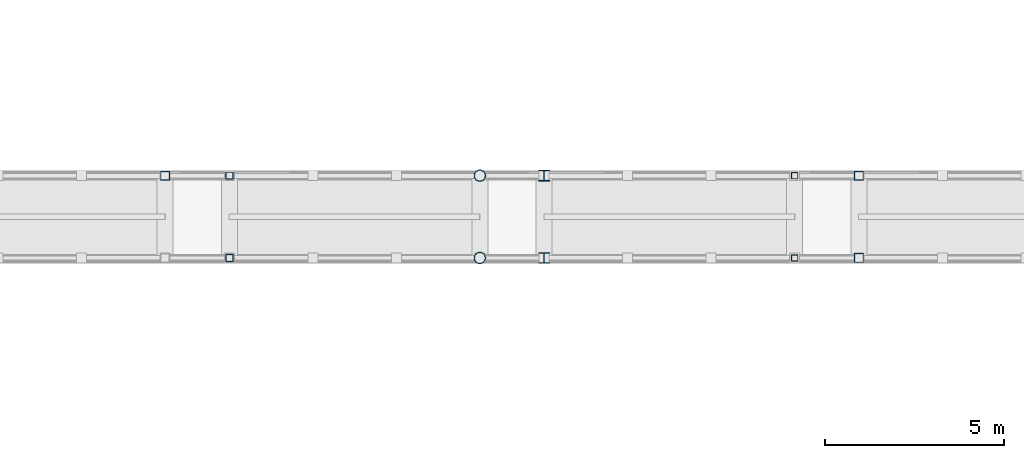
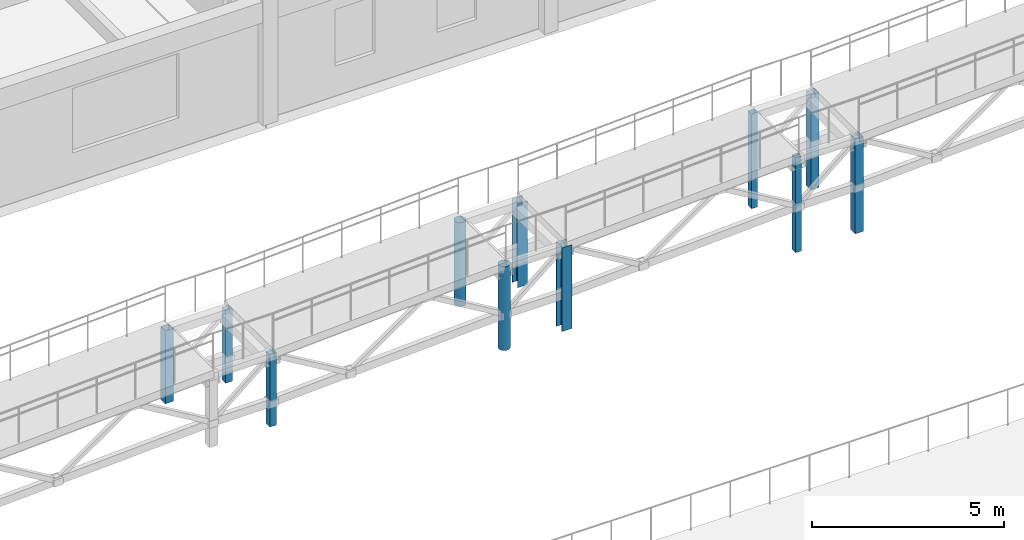
# One storey, part 4 of 41: 11 columns.
"""IFC4 building model written with IfcOpenShell, lengths in metres."""

from ifc_helpers import new_model, si_unit, direction, frame, origin, origin_2d, place, context, subcontext, project, spatial, hollow_rectangle, hollow_circle, i_section, extrude, material, material_profile, profile_set, type_object, element, save


model = new_model("IFC4")

# Units and contexts
model_context = context("Model", 3, precision=1e-05, world=origin(), true_north=direction((0.0, 1.0)))
body_context = subcontext(model_context, "Body", "Model", "MODEL_VIEW")
ifc_project = project(units=[si_unit("LENGTHUNIT", "METRE"), si_unit("AREAUNIT", "SQUARE_METRE"), si_unit("VOLUMEUNIT", "CUBIC_METRE"), si_unit("PLANEANGLEUNIT", "RADIAN"), si_unit("MASSUNIT", "GRAM", prefix="KILO")], contexts=[model_context])

# Site, building, storey
site_placement = place(None, origin())
site = spatial("IfcSite", under=ifc_project, at=site_placement, CompositionType="ELEMENT")
building_placement = place(site_placement, origin())
building = spatial("IfcBuilding", under=site, at=building_placement, Name="Malvenik Polytechnic", CompositionType="ELEMENT")
storey_placement = place(building_placement, frame((0.0, 0.0, 17.699951171875)))
storey = spatial("IfcBuildingStorey", under=building, at=storey_placement, Name="L04", CompositionType="ELEMENT", Elevation=17.699951171875)

# Columns
ifc_material_1 = material(Name="Steel S355J2H", Category="steel")
ifc_material_profile_1 = material_profile(ifc_material_1, hollow_rectangle(XDim=0.25, YDim=0.25, WallThickness=0.010009765625, at=origin_2d()), Name="SHS 250x250x10.0")
ifc_profile_set_1 = profile_set([ifc_material_profile_1], Name="Steel S355J2H")
column_type_1 = type_object("IfcColumnType", Name="STR-SCOL-SC-01", PredefinedType="COLUMN", material=ifc_profile_set_1)
column_placement = place(storey_placement, frame((83.800048828125, 105.449951171875, 0.0), z_axis=(0.0, 0.0, 1.0), x_axis=(1.0, 0.0, 0.0)))
element("IfcColumn", 1, at=column_placement, inside=storey, type_object=column_type_1, Name="Bridge-Ramp Support Column SC-01 L04", PredefinedType="COLUMN", context=body_context, shape_type="SweptSolid", body=[
    extrude(hollow_rectangle(XDim=0.25, YDim=0.25, WallThickness=0.010009765625, at=origin_2d()), origin(), (0.0, 0.0, 1.0), 2.31005859375),
])
for number, where, z_axis, x_axis, name in (
    (2, (103.199951171875, 103.14990234375, 0.0), (0.0, 0.0, 1.0), (1.0, 0.0, 0.0), "Bridge-Ramp Support Column SC-01 L04"),
    (3, (103.199951171875, 105.449951171875, 0.0), (0.0, 0.0, 1.0), (1.0, 0.0, 0.0), "Bridge-Ramp Support Column SC-01 L04"),
):
    element("IfcColumn", number, at=place(storey_placement, frame(where, z_axis=z_axis, x_axis=x_axis)), inside=storey, type_object=column_type_1, Name=name, PredefinedType="COLUMN", context=body_context, shape_type="SweptSolid", body=[
        extrude(hollow_rectangle(XDim=0.25, YDim=0.25, WallThickness=0.010009765625, at=origin_2d()), origin(), (0.0, 0.0, 1.0), 3.010009765625),
    ])
ifc_material_profile_2 = material_profile(ifc_material_1, hollow_rectangle(XDim=0.199951171875, YDim=0.199951171875, WallThickness=0.010009765625, at=origin_2d()), Name="SHS 200x200x10.0")
ifc_profile_set_2 = profile_set([ifc_material_profile_2], Name="Steel S355J2H")
column_type_2 = type_object("IfcColumnType", Name="STR-SCOL-SC-02", PredefinedType="COLUMN", material=ifc_profile_set_2)
for number, where, z_axis, x_axis, name in (
    (4, (85.60009765625, 103.14990234375, 0.0), (0.0, 0.0, 1.0), (1.0, 0.0, 0.0), "Bridge-Ramp Support Column SC-02 L04"),
    (5, (85.60009765625, 105.449951171875, 0.0), (0.0, 0.0, 1.0), (1.0, 0.0, 0.0), "Bridge-Ramp Support Column SC-02 L04"),
):
    element("IfcColumn", number, at=place(storey_placement, frame(where, z_axis=z_axis, x_axis=x_axis)), inside=storey, type_object=column_type_2, Name=name, PredefinedType="COLUMN", context=body_context, shape_type="SweptSolid", body=[
        extrude(hollow_rectangle(XDim=0.199951171875, YDim=0.199951171875, WallThickness=0.010009765625, at=origin_2d()), origin(), (0.0, 0.0, 1.0), 2.31005859375),
    ])
ifc_material_profile_3 = material_profile(ifc_material_1, hollow_circle(Radius=0.161865234375, WallThickness=0.012451171875, at=origin_2d()), Name="CHS 323.9x12.5")
ifc_profile_set_3 = profile_set([ifc_material_profile_3], Name="Steel S355J2H")
column_type_3 = type_object("IfcColumnType", Name="STR-SCOL-SC-04", PredefinedType="COLUMN", material=ifc_profile_set_3)
for number, where, z_axis, x_axis, name in (
    (6, (92.60009765625, 103.14990234375, 0.0), (0.0, 0.0, 1.0), (1.0, 0.0, 0.0), "Bridge-Ramp Support Column SC-04 L04"),
    (7, (92.60009765625, 105.449951171875, 0.0), (0.0, 0.0, 1.0), (1.0, 0.0, 0.0), "Bridge-Ramp Support Column SC-04 L04"),
):
    element("IfcColumn", number, at=place(storey_placement, frame(where, z_axis=z_axis, x_axis=x_axis)), inside=storey, type_object=column_type_3, Name=name, PredefinedType="COLUMN", context=body_context, shape_type="SweptSolid", body=[
        extrude(hollow_circle(Radius=0.161865234375, WallThickness=0.012451171875, at=origin_2d()), origin(), (0.0, 0.0, 1.0), 2.66015625),
    ])
ifc_material_2 = material(Name="Steel S355", Category="steel")
ifc_material_profile_4 = material_profile(ifc_material_2, i_section(OverallWidth=0.300048828125, OverallDepth=0.300048828125, WebThickness=0.010986328125, FlangeThickness=0.01904296875, FilletRadius=0.027099609375, at=origin_2d()), Name="HEB 300")
ifc_profile_set_4 = profile_set([ifc_material_profile_4], Name="Steel S355")
column_type_4 = type_object("IfcColumnType", Name="STR-SCOL-SC-05", PredefinedType="COLUMN", material=ifc_profile_set_4)
for number, where, z_axis, x_axis, name in (
    (8, (94.39990234375, 103.14990234375, 0.0), (0.0, 0.0, 1.0), (1.0, 0.0, 0.0), "Bridge-Ramp Support Column SC-05 L04"),
    (9, (94.39990234375, 105.449951171875, 0.0), (0.0, 0.0, 1.0), (1.0, 0.0, 0.0), "Bridge-Ramp Support Column SC-05 L04"),
):
    element("IfcColumn", number, at=place(storey_placement, frame(where, z_axis=z_axis, x_axis=x_axis)), inside=storey, type_object=column_type_4, Name=name, PredefinedType="COLUMN", context=body_context, shape_type="SweptSolid", body=[
        extrude(i_section(OverallWidth=0.300048828125, OverallDepth=0.300048828125, WebThickness=0.010986328125, FlangeThickness=0.01904296875, FilletRadius=0.027099609375, at=origin_2d()), origin(), (0.0, 0.0, 1.0), 2.66015625),
    ])
ifc_material_profile_5 = material_profile(ifc_material_1, hollow_rectangle(XDim=0.179931640625, YDim=0.179931640625, WallThickness=0.008056640625, at=origin_2d()), Name="SHS 180x180x8.0")
ifc_profile_set_5 = profile_set([ifc_material_profile_5], Name="Steel S355J2H")
column_type_5 = type_object("IfcColumnType", Name="STR-SCOL-SC-06", PredefinedType="COLUMN", material=ifc_profile_set_5)
for number, where, z_axis, x_axis, name in (
    (10, (101.39990234375, 103.14990234375, 0.0), (0.0, 0.0, 1.0), (1.0, 0.0, 0.0), "Bridge-Ramp Support Column SC-06 L04"),
    (11, (101.39990234375, 105.449951171875, 0.0), (0.0, 0.0, 1.0), (1.0, 0.0, 0.0), "Bridge-Ramp Support Column SC-06 L04"),
):
    element("IfcColumn", number, at=place(storey_placement, frame(where, z_axis=z_axis, x_axis=x_axis)), inside=storey, type_object=column_type_5, Name=name, PredefinedType="COLUMN", context=body_context, shape_type="SweptSolid", body=[
        extrude(hollow_rectangle(XDim=0.179931640625, YDim=0.179931640625, WallThickness=0.008056640625, at=origin_2d()), origin(), (0.0, 0.0, 1.0), 3.010009765625),
    ])

save(model, "model.ifc")
